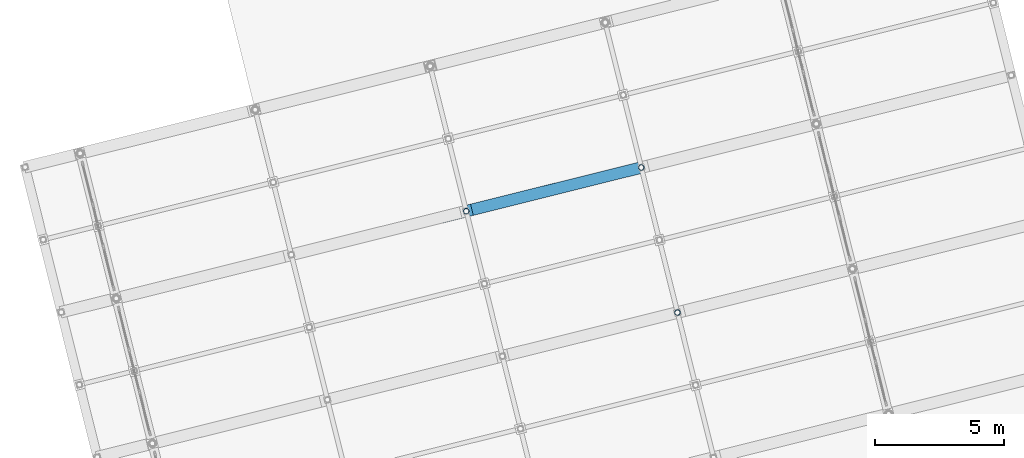
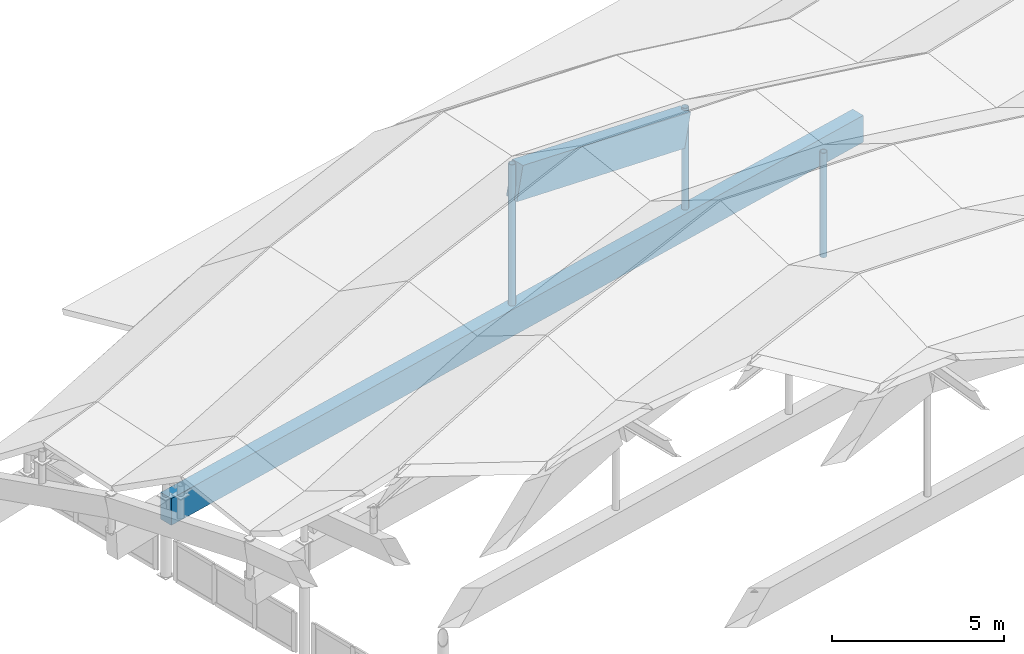
# One storey, part 30 of 65: 3 members, 2 beams.
"""IFC4 building model written with IfcOpenShell, lengths in metres."""

from ifc_helpers import new_model, si_unit, direction, frame, origin, origin_2d, place, context, subcontext, project, spatial, rectangle, hollow_circle, extrude, material, material_profile, profile_set, type_object, element, save


model = new_model("IFC4")

# Units and contexts
model_context = context("Model", 3, precision=1e-05, world=origin(), true_north=direction((0.0, 1.0)))
body_context = subcontext(model_context, "Body", "Model", "MODEL_VIEW")
ifc_project = project(units=[si_unit("LENGTHUNIT", "METRE"), si_unit("AREAUNIT", "SQUARE_METRE"), si_unit("VOLUMEUNIT", "CUBIC_METRE"), si_unit("PLANEANGLEUNIT", "RADIAN"), si_unit("MASSUNIT", "GRAM", prefix="KILO")], contexts=[model_context])

# Site, building, storey
site_placement = place(None, origin())
site = spatial("IfcSite", under=ifc_project, at=site_placement, CompositionType="ELEMENT")
building_placement = place(site_placement, origin())
building = spatial("IfcBuilding", under=site, at=building_placement, Name="Cinderway Yard Community Centre", CompositionType="ELEMENT")
storey_placement = place(building_placement, frame((0.0, 0.0, 24.300048828125)))
storey = spatial("IfcBuildingStorey", under=building, at=storey_placement, Name="RF", CompositionType="ELEMENT", Elevation=24.300048828125)

# Beams
ifc_material_1 = material(Name="Concrete C40/50", Category="concrete")
ifc_material_profile_1 = material_profile(ifc_material_1, rectangle(XDim=0.449951171875, YDim=1.199951171875, at=origin_2d()), Name="Concrete C40/50")
ifc_profile_set_1 = profile_set([ifc_material_profile_1], Name="Concrete C40/50")
beam_type_1 = type_object("IfcBeamType", Name="STR-BM-RC450X1200", PredefinedType="BEAM", material=ifc_profile_set_1)
beam_1_placement = place(storey_placement, frame((25.076904296875, 62.294921875, -4.256103515625), z_axis=(0.950292775874, 0.237000940583, -0.20192621), x_axis=(-0.241985666717, 0.970279824125, 0.0)))
element("IfcBeam", 1, at=beam_1_placement, inside=storey, type_object=beam_type_1, Name="Main Hall arch rib segment 07.3", PredefinedType="BEAM", context=body_context, shape_type="SweptSolid", body=[
    extrude(rectangle(XDim=0.449951171875, YDim=1.199951171875, at=origin_2d()), origin(), (0.0, 0.0, 1.0), 6.932861328125),
])
ifc_material_profile_2 = material_profile(ifc_material_1, rectangle(XDim=0.449951171875, YDim=0.949951171875, at=origin_2d()), Name="Concrete C40/50")
ifc_profile_set_2 = profile_set([ifc_material_profile_2], Name="Concrete C40/50")
beam_type_2 = type_object("IfcBeamType", Name="STR-BM-RC450X950", PredefinedType="BEAM", material=ifc_profile_set_2)
beam_2_placement = place(storey_placement, frame((11.39111328125, 58.883056640625, -9.06103515625), z_axis=(0.970294130107, 0.241928297394, 0.0), x_axis=(-0.241928297394, 0.970294130107, 0.0)))
element("IfcBeam", 2, at=beam_2_placement, inside=storey, type_object=beam_type_2, Name="Main Hall folded-plate arch tie girder 07", PredefinedType="BEAM", context=body_context, shape_type="SweptSolid", body=[
    extrude(rectangle(XDim=0.449951171875, YDim=0.949951171875, at=origin_2d()), origin(), (0.0, 0.0, 1.0), 27.999755859375),
])

# Members
ifc_material_2 = material(Name="Steel S355", Category="steel")
ifc_material_profile_3 = material_profile(ifc_material_2, hollow_circle(Radius=0.109619140625, WallThickness=0.010009765625, at=origin_2d()), Name="Steel S355")
ifc_profile_set_3 = profile_set([ifc_material_profile_3], Name="Steel S355")
member_type = type_object("IfcMemberType", Name="STR-MEM-STRUT-CHS219", PredefinedType="STRUT", material=ifc_profile_set_3)
member_1_placement = place(storey_placement, frame((33.169921875, 58.3359375, -7.35693359375), z_axis=(0.0, 0.0, 1.0), x_axis=(1.0, 0.0, 0.0)))
element("IfcMember", 3, at=member_1_placement, inside=storey, type_object=member_type, Name="Arch rib web post 06-21", PredefinedType="STRUT", context=body_context, shape_type="SweptSolid", body=[
    extrude(hollow_circle(Radius=0.109619140625, WallThickness=0.010009765625, at=origin_2d()), origin(), (0.0, 0.0, 1.0), 3.7099609375),
])
member_2_placement = place(storey_placement, frame((24.97509765625, 62.27001953125, -8.68603515625), z_axis=(0.0, 0.0, 1.0), x_axis=(1.0, 0.0, 0.0)))
element("IfcMember", 4, at=member_2_placement, inside=storey, type_object=member_type, Name="Arch rib web post 07-14", PredefinedType="STRUT", context=body_context, shape_type="SweptSolid", body=[
    extrude(hollow_circle(Radius=0.109619140625, WallThickness=0.010009765625, at=origin_2d()), origin(), (0.0, 0.0, 1.0), 5.110107421875),
])
member_3_placement = place(storey_placement, frame((31.76708984375, 63.964111328125, -8.68603515625), z_axis=(0.0, 0.0, 1.0), x_axis=(1.0, 0.0, 0.0)))
element("IfcMember", 5, at=member_3_placement, inside=storey, type_object=member_type, Name="Arch rib web post 07-21", PredefinedType="STRUT", context=body_context, shape_type="SweptSolid", body=[
    extrude(hollow_circle(Radius=0.109619140625, WallThickness=0.010009765625, at=origin_2d()), origin(), (0.0, 0.0, 1.0), 3.7099609375),
])

save(model, "model.ifc")
